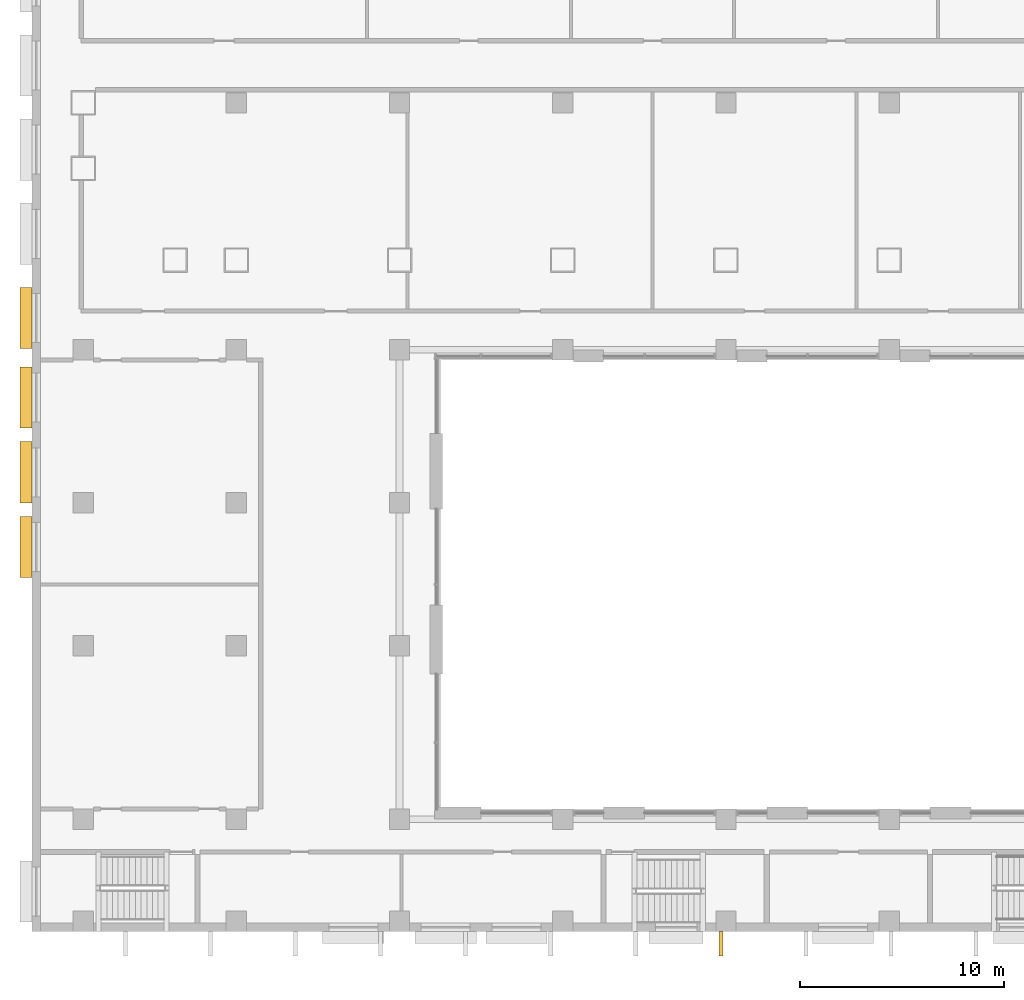
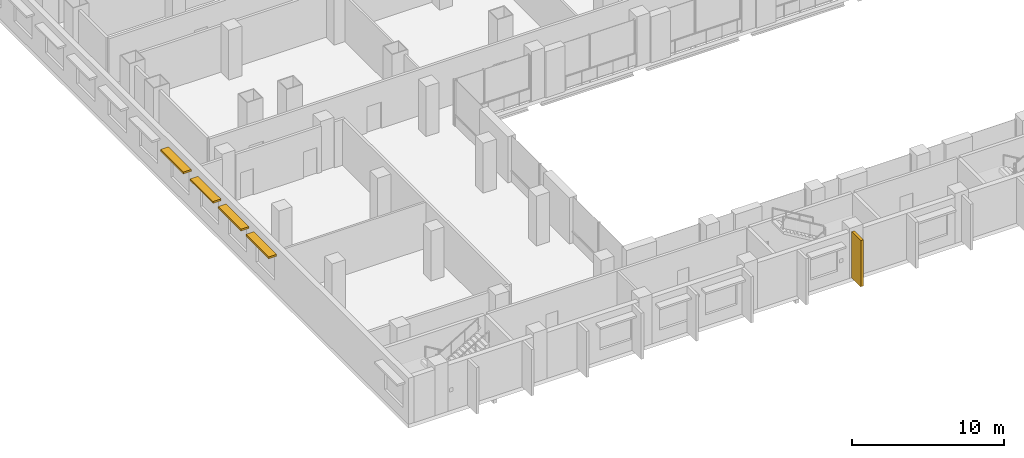
# One storey, part 19 of 25: 5 shading devices.
"""IFC4 building model written with IfcOpenShell, lengths in metres."""

import ifcopenshell
import ifcopenshell.guid

model = None  # the IFC model being written
_history = None  # IfcOwnerHistory: only IFC2X3 demands one
_inside = {}  # id of a spatial element -> (the spatial element, [elements in it])
_under = {}  # id of a project, library or spatial element -> (it, [spatial elements below it])
_declared = {}  # id of a project -> (the project, [libraries it declares])
_typed = {}  # id of a type object -> (the type object, [elements of that type])
_made_of = {}  # id of a material, layer set ... -> (it, [elements and type objects made of it])


def new_model(schema):
    """Start an empty IFC model of exactly this schema.

    Asked for "IFC4X3", IfcOpenShell would pick the latest addendum, in which some entities
    have other attributes; the version numbers below select the first issue.
    IFC2X3 requires an IfcOwnerHistory on every rooted entity: one is made here for all.
    """
    global model, _history
    if schema == "IFC4X3":
        model = ifcopenshell.file(schema_version=(4, 3, 0, 0))
    else:
        model = ifcopenshell.file(schema=schema)
    _inside.clear()
    _under.clear()
    _declared.clear()
    _typed.clear()
    _made_of.clear()
    _history = None
    if model.schema == "IFC2X3":
        org = make("IfcOrganization", Name="unknown")
        user = make(
            "IfcPersonAndOrganization",
            ThePerson=make("IfcPerson", FamilyName="unknown"),
            TheOrganization=org,
        )
        app = make(
            "IfcApplication",
            ApplicationDeveloper=org,
            Version="unknown",
            ApplicationFullName="unknown",
            ApplicationIdentifier="unknown",
        )
        _history = make(
            "IfcOwnerHistory",
            OwningUser=user,
            OwningApplication=app,
            ChangeAction="ADDED",
            CreationDate=0,
        )
    return model


def make(cls, **values):
    """One entity of the class cls with the attributes given. An attribute that is None is left unset."""
    return model.create_entity(
        cls, **{name: value for name, value in values.items() if value is not None}
    )


def rooted(cls, **values):
    """An entity with a GlobalId (a new one), such as an element, a storey or a relation."""
    return make(cls, GlobalId=ifcopenshell.guid.new(), OwnerHistory=_history, **values)


def si_unit(unit_type, name, prefix=None):
    """IfcSIUnit, for example si_unit("LENGTHUNIT", "METRE", prefix="MILLI")."""
    return make("IfcSIUnit", UnitType=unit_type, Prefix=prefix, Name=name)


def assignment(units):
    """IfcUnitAssignment: the units of a project."""
    return None if units is None else make("IfcUnitAssignment", Units=units)


def point(xyz):
    """IfcCartesianPoint."""
    return None if xyz is None else make("IfcCartesianPoint", Coordinates=xyz)


def direction(xyz):
    """IfcDirection."""
    return None if xyz is None else make("IfcDirection", DirectionRatios=xyz)


def frame(location, z_axis=None, x_axis=None):
    """IfcAxis2Placement3D, a coordinate frame: its origin and axes. An axis left out is left unset."""
    return make(
        "IfcAxis2Placement3D",
        Location=point(location),
        Axis=direction(z_axis),
        RefDirection=direction(x_axis),
    )


def frame_2d(location, x_axis=None):
    """IfcAxis2Placement2D, a coordinate frame in the plane: its origin and x axis."""
    return make(
        "IfcAxis2Placement2D", Location=point(location), RefDirection=direction(x_axis)
    )


def origin():
    """The frame at (0, 0, 0) with its axes left unset."""
    return frame((0.0, 0.0, 0.0))


def origin_2d():
    """The frame at (0, 0) in the plane with its x axis left unset."""
    return frame_2d((0.0, 0.0))


def place(relative_to, where):
    """IfcLocalPlacement: puts the frame where relative to a parent placement (None: the world)."""
    return make(
        "IfcLocalPlacement", PlacementRelTo=relative_to, RelativePlacement=where
    )


def context(
    kind, dimensions, precision=None, world=None, true_north=None, identifier=None
):
    """IfcGeometricRepresentationContext, for example the 3D "Model" context."""
    return make(
        "IfcGeometricRepresentationContext",
        ContextIdentifier=identifier,
        ContextType=kind,
        CoordinateSpaceDimension=dimensions,
        Precision=precision,
        WorldCoordinateSystem=world,
        TrueNorth=true_north,
    )


def subcontext(parent, identifier, kind, view, scale=None):
    """IfcGeometricRepresentationSubContext, for example "Body" below "Model"."""
    return make(
        "IfcGeometricRepresentationSubContext",
        ContextIdentifier=identifier,
        ContextType=kind,
        ParentContext=parent,
        TargetScale=scale,
        TargetView=view,
    )


def project(units=None, contexts=None):
    """IfcProject with its units and contexts."""
    return rooted(
        "IfcProject",
        Name="project",
        RepresentationContexts=contexts,
        UnitsInContext=assignment(units),
    )


def spatial(cls, under=None, at=None, **own):
    """A site, building, storey or space (cls), placed at a placement, below another one or the project."""
    s = rooted(cls, ObjectPlacement=at, **own)
    if under is not None:
        _under.setdefault(under.id(), (under, []))[1].append(s)
    return s


def profile(cls, at=None, kind="AREA", **sizes):
    """A parametric profile (cls). Its sizes go by their IFC names, for example OverallWidth=200.0."""
    return make(cls, ProfileType=kind, Position=at, **sizes)


def rectangle(**sizes):
    """IfcRectangleProfileDef."""
    return profile("IfcRectangleProfileDef", **sizes)


def extrude(swept, where, along, depth):
    """IfcExtrudedAreaSolid: the profile swept, set in the frame where, extruded along a direction by depth."""
    return make(
        "IfcExtrudedAreaSolid",
        SweptArea=swept,
        Position=where,
        ExtrudedDirection=direction(along),
        Depth=depth,
    )


def shape(context_of_items, identifier, shape_type, items):
    """IfcShapeRepresentation: the items that make up one representation, for example the "Body"."""
    return make(
        "IfcShapeRepresentation",
        ContextOfItems=context_of_items,
        RepresentationIdentifier=identifier,
        RepresentationType=shape_type,
        Items=items,
    )


def material(Name=None, Category=None):
    """IfcMaterial."""
    return make("IfcMaterial", Name=Name, Category=Category)


def layer(
    of_material, thickness, ventilated=None, Name=None, Category=None, Priority=None
):
    """IfcMaterialLayer: one layer of a wall or slab, of a material (None: an air gap)."""
    return make(
        "IfcMaterialLayer",
        Material=of_material,
        LayerThickness=thickness,
        IsVentilated=ventilated,
        Name=Name,
        Category=Category,
        Priority=Priority,
    )


def layer_set(layers, Name=None):
    """IfcMaterialLayerSet."""
    return make("IfcMaterialLayerSet", MaterialLayers=layers, LayerSetName=Name)


def made_of(thing, what):
    """Note that an element or type object is made of a material, layer set ...; save() writes the relation."""
    if what is not None:
        _made_of.setdefault(what.id(), (what, []))[1].append(thing)
    return thing


def type_object(cls, material=None, **own):
    """A type object (cls), such as IfcWallType, which elements share."""
    return made_of(rooted(cls, **own), material)


def element(
    cls,
    number,
    at=None,
    inside=None,
    cuts=None,
    type_object=None,
    material=None,
    context=None,
    identifier="Body",
    shape_type=None,
    held_by="IfcProductDefinitionShape",
    body=None,
    shapes=None,
    **own,
):
    """One element of the class cls, such as IfcWall. Its Tag is "e" and its number.

    at: its placement. inside: the storey or other place that contains it. cuts: it is an
    opening in that element (IfcRelVoidsElement). A single representation is given by context,
    identifier, shape_type and body (its items); several are given by shapes. held_by: the class
    of the entity that holds the representations. save() writes the other relations.
    """
    e = rooted(cls, Tag="e%d" % number, ObjectPlacement=at, **own)
    if body is not None:
        shapes = [shape(context, identifier, shape_type, body)]
    if shapes is not None:
        e.Representation = make(held_by, Representations=shapes)
    if inside is not None:
        _inside.setdefault(inside.id(), (inside, []))[1].append(e)
    if cuts is not None:
        rooted(
            "IfcRelVoidsElement", RelatingBuildingElement=cuts, RelatedOpeningElement=e
        )
    if type_object is not None:
        _typed.setdefault(type_object.id(), (type_object, []))[1].append(e)
    return made_of(e, material)


def aggregate(whole, parts):
    """IfcRelAggregates: a whole, such as a stair, and the parts it consists of."""
    return rooted("IfcRelAggregates", RelatingObject=whole, RelatedObjects=parts)


def save(model, path):
    """Write the relations noted so far, then the file.

    IfcRelAggregates (storeys below a building ...), IfcRelContainedInSpatialStructure (elements
    in a storey), IfcRelDefinesByType, IfcRelAssociatesMaterial and IfcRelDeclares: one each for
    every whole, place, type object, material and project.
    """
    for whole, parts in _under.values():
        aggregate(whole, parts)
    for where, things in _inside.values():
        rooted(
            "IfcRelContainedInSpatialStructure",
            RelatedElements=things,
            RelatingStructure=where,
        )
    for kind, things in _typed.values():
        rooted("IfcRelDefinesByType", RelatedObjects=things, RelatingType=kind)
    for what, things in _made_of.values():
        rooted("IfcRelAssociatesMaterial", RelatedObjects=things, RelatingMaterial=what)
    for by, libraries in _declared.values():
        rooted("IfcRelDeclares", RelatingContext=by, RelatedDefinitions=libraries)
    model.write(path)


model = new_model("IFC4")

# Units and contexts
model_context = context("Model", 3, precision=1e-05, world=origin(), true_north=direction((0.0, 1.0)))
body_context = subcontext(model_context, "Body", "Model", "MODEL_VIEW")
ifc_project = project(units=[si_unit("LENGTHUNIT", "METRE"), si_unit("AREAUNIT", "SQUARE_METRE"), si_unit("VOLUMEUNIT", "CUBIC_METRE"), si_unit("PLANEANGLEUNIT", "RADIAN"), si_unit("MASSUNIT", "GRAM", prefix="KILO")], contexts=[model_context])

# Site, building, storey
site_placement = place(None, origin())
site = spatial("IfcSite", under=ifc_project, at=site_placement, CompositionType="ELEMENT")
building_placement = place(site_placement, origin())
building = spatial("IfcBuilding", under=site, at=building_placement, Name="Vidyagriha Tower", CompositionType="ELEMENT")
storey_placement = place(building_placement, frame((0.0, 0.0, 10.0)))
storey = spatial("IfcBuildingStorey", under=building, at=storey_placement, Name="L02", CompositionType="ELEMENT", Elevation=10.0)

# Shading devices
ifc_material_1 = material(Name="Precast concrete C40/50 with brick facing", Category="concrete")
ifc_layer_1 = layer(ifc_material_1, 0.14990234375)
ifc_layer_set_1 = layer_set([ifc_layer_1], Name="Precast concrete C40/50 with brick facing")
shading_device_type_1 = type_object("IfcShadingDeviceType", Name="Brick chhajja window hood", PredefinedType="AWNING", material=ifc_layer_set_1)
for number, where, z_axis, x_axis, name in (
    (1, (-40.300048828125, -19.9375, 3.0), (0.0, 0.0, 1.0), (0.0, -1.0, 0.0), "Window hood L02 R05.10"),
    (2, (-40.300048828125, -23.833251953125, 3.0), (0.0, 0.0, 1.0), (0.0, -1.0, 0.0), "Window hood L02 R05.11"),
    (3, (-40.300048828125, -27.5, 3.0), (0.0, 0.0, 1.0), (0.0, -1.0, 0.0), "Window hood L02 R05.12"),
    (4, (-40.300048828125, -31.166748046875, 3.0), (0.0, 0.0, 1.0), (0.0, -1.0, 0.0), "Window hood L02 R05.13"),
):
    element("IfcShadingDevice", number, at=place(storey_placement, frame(where, z_axis=z_axis, x_axis=x_axis)), inside=storey, type_object=shading_device_type_1, Name=name, PredefinedType="AWNING", context=body_context, shape_type="SweptSolid", body=[
        extrude(rectangle(XDim=3.0, YDim=0.60009765625, at=origin_2d()), origin(), (0.0, 0.0, 1.0), 0.14990234375),
    ])
ifc_material_2 = material(Name="Precast concrete C40/50 with brick facing", Category="concrete")
ifc_layer_2 = layer(ifc_material_2, 0.199951171875)
ifc_layer_set_2 = layer_set([ifc_layer_2], Name="Precast concrete C40/50 with brick facing")
shading_device_type_2 = type_object("IfcShadingDeviceType", Name="Brick-faced solar fin 1200", PredefinedType="USERDEFINED", material=ifc_layer_set_2)
shading_device_placement = place(storey_placement, frame((-6.252685546875, -50.0, 0.0), z_axis=(0.0, 0.0, 1.0), x_axis=(0.0, -1.0, 0.0)))
element("IfcShadingDevice", 5, at=shading_device_placement, inside=storey, type_object=shading_device_type_2, Name="Solar fin L02 R06.8", ObjectType="SOLAR FIN", PredefinedType="USERDEFINED", context=body_context, shape_type="SweptSolid", body=[
    extrude(rectangle(XDim=1.199951171875, YDim=0.199951171875, at=frame_2d((0.60009765625, 0.0))), origin(), (0.0, 0.0, 1.0), 3.699951171875),
])

save(model, "model.ifc")
